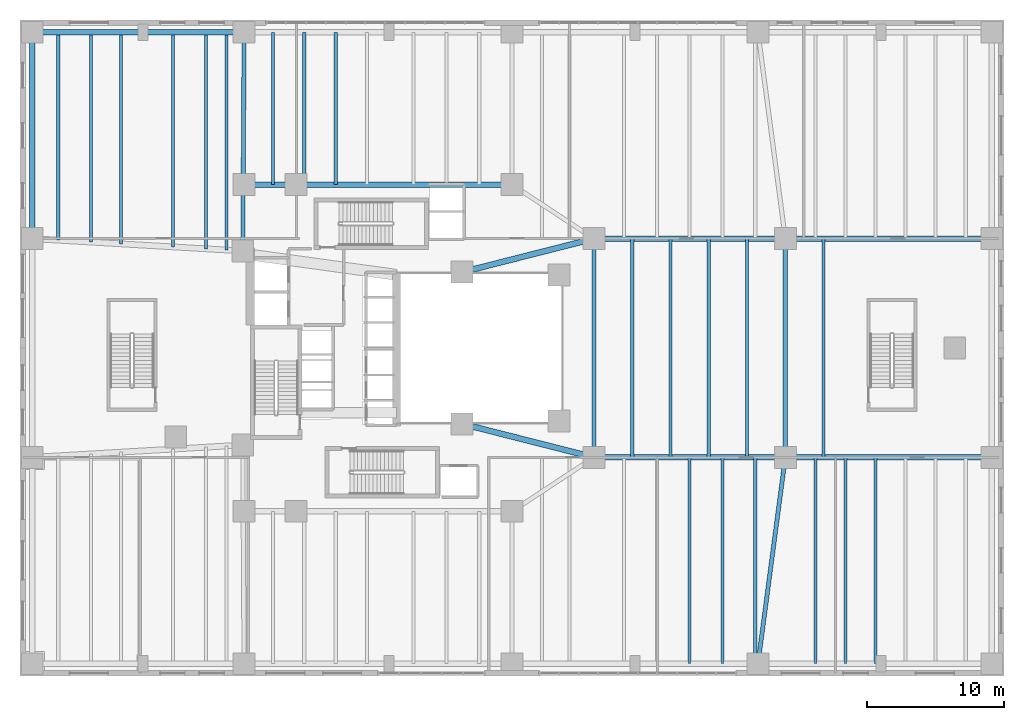
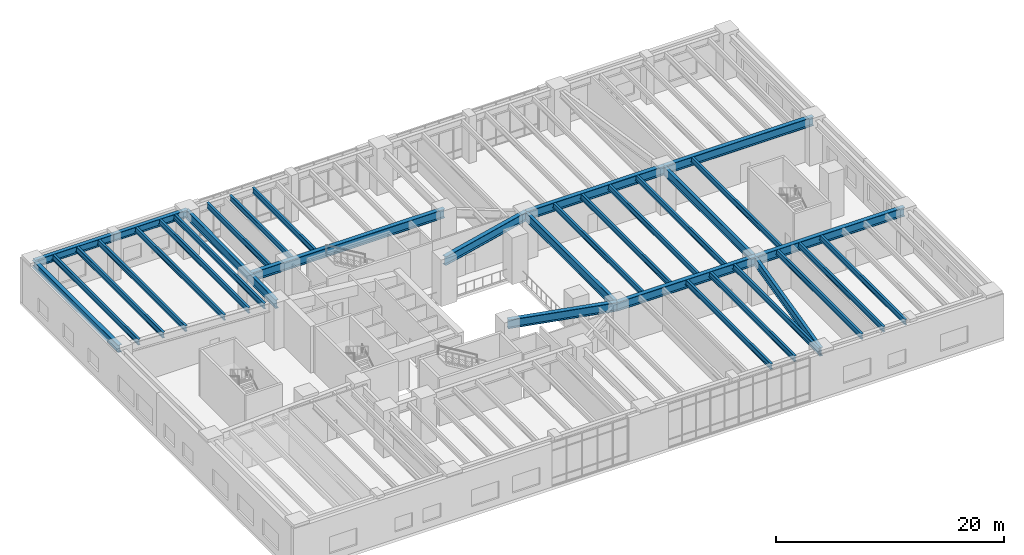
# One storey, part 9 of 26: 34 beams.
"""IFC4 building model written with IfcOpenShell, lengths in metres."""

from ifc_helpers import new_model, si_unit, direction, frame, origin, origin_2d, place, context, subcontext, project, spatial, i_section, extrude, material, material_profile, profile_set, type_object, element, save


model = new_model("IFC4")

# Units and contexts
model_context = context("Model", 3, precision=1e-05, world=origin(), true_north=direction((0.0, 1.0)))
body_context = subcontext(model_context, "Body", "Model", "MODEL_VIEW")
ifc_project = project(units=[si_unit("LENGTHUNIT", "METRE"), si_unit("AREAUNIT", "SQUARE_METRE"), si_unit("VOLUMEUNIT", "CUBIC_METRE"), si_unit("PLANEANGLEUNIT", "RADIAN"), si_unit("MASSUNIT", "GRAM", prefix="KILO"), si_unit("THERMODYNAMICTEMPERATUREUNIT", "KELVIN"), si_unit("POWERUNIT", "WATT")], contexts=[model_context])

# Site, building, storey
site_placement = place(None, origin())
site = spatial("IfcSite", under=ifc_project, at=site_placement, CompositionType="ELEMENT")
building_placement = place(site_placement, origin())
building = spatial("IfcBuilding", under=site, at=building_placement, Name="Skarre Station Tower", CompositionType="ELEMENT")
storey_placement = place(building_placement, frame((0.0, 0.0, 6.0)))
storey = spatial("IfcBuildingStorey", under=building, at=storey_placement, Name="L02", CompositionType="ELEMENT", Elevation=6.0)

# Beams
ifc_material = material(Name="Steel ASTM A992 Grade 50", Category="steel")
ifc_material_profile_1 = material_profile(ifc_material, i_section(OverallWidth=0.30810546875, OverallDepth=0.927001953125, WebThickness=0.01904296875, FlangeThickness=0.031982421875, at=origin_2d()), Name="Steel ASTM A992 Grade 50")
ifc_profile_set_1 = profile_set([ifc_material_profile_1], Name="Steel ASTM A992 Grade 50")
beam_type_1 = type_object("IfcBeamType", Name="Steel Beam W36X194", PredefinedType="BEAM", material=ifc_profile_set_1)
beam_1_placement = place(storey_placement, frame((16.300048828125, 31.10009765625, 4.22607421875), z_axis=(0.006240723195, 0.999980526497, 0.0), x_axis=(-0.999980526497, 0.006240723195, 0.0)))
element("IfcBeam", 1, at=beam_1_placement, inside=storey, type_object=beam_type_1, Name="L02 Concourse Transverse Girder NS2", PredefinedType="BEAM", context=body_context, shape_type="SweptSolid", body=[
    extrude(i_section(OverallWidth=0.30810546875, OverallDepth=0.927001953125, WebThickness=0.01904296875, FlangeThickness=0.031982421875, at=origin_2d()), origin(), (0.0, 0.0, 1.0), 16.000244140625),
])
beam_2_placement = place(storey_placement, frame((42.0, 16.0, 4.22607421875), z_axis=(0.0, 1.0, 0.0), x_axis=(-1.0, 0.0, 0.0)))
element("IfcBeam", 2, at=beam_2_placement, inside=storey, type_object=beam_type_1, Name="L02 Concourse Transverse Girder NS4", PredefinedType="BEAM", context=body_context, shape_type="SweptSolid", body=[
    extrude(i_section(OverallWidth=0.30810546875, OverallDepth=0.927001953125, WebThickness=0.01904296875, FlangeThickness=0.031982421875, at=origin_2d()), origin(), (0.0, 0.0, 1.0), 16.0),
])
beam_3_placement = place(storey_placement, frame((54.0, 0.89990234375, 4.22607421875), z_axis=(0.131302768537, 0.991342313721, 0.0), x_axis=(-0.991342313721, 0.131302768537, 0.0)))
element("IfcBeam", 3, at=beam_3_placement, inside=storey, type_object=beam_type_1, Name="L02 Concourse Transverse Girder NS6", PredefinedType="BEAM", context=body_context, shape_type="SweptSolid", body=[
    extrude(i_section(OverallWidth=0.30810546875, OverallDepth=0.927001953125, WebThickness=0.01904296875, FlangeThickness=0.031982421875, at=origin_2d()), origin(), (0.0, 0.0, 1.0), 15.23193359375),
])
beam_4_placement = place(storey_placement, frame((56.0, 16.0, 4.22607421875), z_axis=(0.0, 1.0, 0.0), x_axis=(-1.0, 0.0, 0.0)))
element("IfcBeam", 4, at=beam_4_placement, inside=storey, type_object=beam_type_1, Name="L02 Concourse Transverse Girder NS7", PredefinedType="BEAM", context=body_context, shape_type="SweptSolid", body=[
    extrude(i_section(OverallWidth=0.30810546875, OverallDepth=0.927001953125, WebThickness=0.01904296875, FlangeThickness=0.031982421875, at=origin_2d()), origin(), (0.0, 0.0, 1.0), 16.0),
])
ifc_material_profile_2 = material_profile(ifc_material, i_section(OverallWidth=0.423095703125, OverallDepth=0.947998046875, WebThickness=0.02392578125, FlangeThickness=0.04296875, at=origin_2d()), Name="Steel ASTM A992 Grade 50")
ifc_profile_set_2 = profile_set([ifc_material_profile_2], Name="Steel ASTM A992 Grade 50")
beam_type_2 = type_object("IfcBeamType", Name="Steel Beam W36X302", PredefinedType="BEAM", material=ifc_profile_set_2)
beam_5_placement = place(storey_placement, frame((32.35009765625, 18.449951171875, 4.216064453125), z_axis=(0.969250360418, -0.246076692982, 0.0), x_axis=(0.246076692982, 0.969250360418, 0.0)))
element("IfcBeam", 5, at=beam_5_placement, inside=storey, type_object=beam_type_2, Name="L02 Concourse Primary Girder EW2", PredefinedType="BEAM", context=body_context, shape_type="SweptSolid", body=[
    extrude(i_section(OverallWidth=0.423095703125, OverallDepth=0.947998046875, WebThickness=0.02392578125, FlangeThickness=0.04296875, at=origin_2d()), origin(), (0.0, 0.0, 1.0), 9.9560546875),
])
beam_6_placement = place(storey_placement, frame((42.0, 16.0, 4.216064453125), z_axis=(1.0, 0.0, 0.0), x_axis=(0.0, 1.0, 0.0)))
element("IfcBeam", 6, at=beam_6_placement, inside=storey, type_object=beam_type_2, Name="L02 Concourse Primary Girder EW3", PredefinedType="BEAM", context=body_context, shape_type="SweptSolid", body=[
    extrude(i_section(OverallWidth=0.423095703125, OverallDepth=0.947998046875, WebThickness=0.02392578125, FlangeThickness=0.04296875, at=origin_2d()), origin(), (0.0, 0.0, 1.0), 14.0),
])
beam_7_placement = place(storey_placement, frame((56.0, 16.0, 4.216064453125), z_axis=(1.0, 0.0, 0.0), x_axis=(0.0, 1.0, 0.0)))
element("IfcBeam", 7, at=beam_7_placement, inside=storey, type_object=beam_type_2, Name="L02 Concourse Primary Girder EW4", PredefinedType="BEAM", context=body_context, shape_type="SweptSolid", body=[
    extrude(i_section(OverallWidth=0.423095703125, OverallDepth=0.947998046875, WebThickness=0.02392578125, FlangeThickness=0.04296875, at=origin_2d()), origin(), (0.0, 0.0, 1.0), 15.10009765625),
])
beam_8_placement = place(storey_placement, frame((32.35009765625, 29.550048828125, 4.216064453125), z_axis=(0.969250360418, 0.246076692982, 0.0), x_axis=(-0.246076692982, 0.969250360418, 0.0)))
element("IfcBeam", 8, at=beam_8_placement, inside=storey, type_object=beam_type_2, Name="L02 Concourse Primary Girder EW6", PredefinedType="BEAM", context=body_context, shape_type="SweptSolid", body=[
    extrude(i_section(OverallWidth=0.423095703125, OverallDepth=0.947998046875, WebThickness=0.02392578125, FlangeThickness=0.04296875, at=origin_2d()), origin(), (0.0, 0.0, 1.0), 9.9560546875),
])
beam_9_placement = place(storey_placement, frame((42.0, 32.0, 4.216064453125), z_axis=(1.0, 0.0, 0.0), x_axis=(0.0, 1.0, 0.0)))
element("IfcBeam", 9, at=beam_9_placement, inside=storey, type_object=beam_type_2, Name="L02 Concourse Primary Girder EW7", PredefinedType="BEAM", context=body_context, shape_type="SweptSolid", body=[
    extrude(i_section(OverallWidth=0.423095703125, OverallDepth=0.947998046875, WebThickness=0.02392578125, FlangeThickness=0.04296875, at=origin_2d()), origin(), (0.0, 0.0, 1.0), 14.0),
])
beam_10_placement = place(storey_placement, frame((56.0, 32.0, 4.216064453125), z_axis=(1.0, 0.0, 0.0), x_axis=(0.0, 1.0, 0.0)))
element("IfcBeam", 10, at=beam_10_placement, inside=storey, type_object=beam_type_2, Name="L02 Concourse Primary Girder EW8", PredefinedType="BEAM", context=body_context, shape_type="SweptSolid", body=[
    extrude(i_section(OverallWidth=0.423095703125, OverallDepth=0.947998046875, WebThickness=0.02392578125, FlangeThickness=0.04296875, at=origin_2d()), origin(), (0.0, 0.0, 1.0), 15.10009765625),
])
beam_11_placement = place(storey_placement, frame((16.39990234375, 35.949951171875, 4.216064453125), z_axis=(1.0, 0.0, 0.0), x_axis=(0.0, 1.0, 0.0)))
element("IfcBeam", 11, at=beam_11_placement, inside=storey, type_object=beam_type_2, Name="L02 Concourse Primary Girder HDRN", PredefinedType="BEAM", context=body_context, shape_type="SweptSolid", body=[
    extrude(i_section(OverallWidth=0.423095703125, OverallDepth=0.947998046875, WebThickness=0.02392578125, FlangeThickness=0.04296875, at=origin_2d()), origin(), (0.0, 0.0, 1.0), 19.60009765625),
])
ifc_material_profile_3 = material_profile(ifc_material, i_section(OverallWidth=0.22802734375, OverallDepth=0.60791015625, WebThickness=0.010986328125, FlangeThickness=0.01708984375, at=origin_2d()), Name="Steel ASTM A992 Grade 50")
ifc_profile_set_3 = profile_set([ifc_material_profile_3], Name="Steel ASTM A992 Grade 50")
beam_type_3 = type_object("IfcBeamType", Name="Steel Joist W24X76", PredefinedType="JOIST", material=ifc_profile_set_3)
beam_12_placement = place(storey_placement, frame((2.800048828125, 31.888916015625, 4.385986328125), z_axis=(0.0, 1.0, 0.0), x_axis=(-1.0, 0.0, 0.0)))
element("IfcBeam", 12, at=beam_12_placement, inside=storey, type_object=beam_type_3, Name="L02 North Bay Joist 1", PredefinedType="JOIST", context=body_context, shape_type="SweptSolid", body=[
    extrude(i_section(OverallWidth=0.22802734375, OverallDepth=0.60791015625, WebThickness=0.010986328125, FlangeThickness=0.01708984375, at=origin_2d()), origin(), (0.0, 0.0, 1.0), 15.211181640625),
])
beam_13_placement = place(storey_placement, frame((5.199951171875, 31.7490234375, 4.385986328125), z_axis=(0.0, 1.0, 0.0), x_axis=(-1.0, 0.0, 0.0)))
element("IfcBeam", 13, at=beam_13_placement, inside=storey, type_object=beam_type_3, Name="L02 North Bay Joist 2", PredefinedType="JOIST", context=body_context, shape_type="SweptSolid", body=[
    extrude(i_section(OverallWidth=0.22802734375, OverallDepth=0.60791015625, WebThickness=0.010986328125, FlangeThickness=0.01708984375, at=origin_2d()), origin(), (0.0, 0.0, 1.0), 15.35107421875),
])
beam_14_placement = place(storey_placement, frame((7.39990234375, 31.6201171875, 4.385986328125), z_axis=(0.0, 1.0, 0.0), x_axis=(-1.0, 0.0, 0.0)))
element("IfcBeam", 14, at=beam_14_placement, inside=storey, type_object=beam_type_3, Name="L02 North Bay Joist 3", PredefinedType="JOIST", context=body_context, shape_type="SweptSolid", body=[
    extrude(i_section(OverallWidth=0.22802734375, OverallDepth=0.60791015625, WebThickness=0.010986328125, FlangeThickness=0.01708984375, at=origin_2d()), origin(), (0.0, 0.0, 1.0), 15.47998046875),
])
beam_15_placement = place(storey_placement, frame((11.199951171875, 31.39794921875, 4.385986328125), z_axis=(0.0, 1.0, 0.0), x_axis=(-1.0, 0.0, 0.0)))
element("IfcBeam", 15, at=beam_15_placement, inside=storey, type_object=beam_type_3, Name="L02 North Bay Joist 4", PredefinedType="JOIST", context=body_context, shape_type="SweptSolid", body=[
    extrude(i_section(OverallWidth=0.22802734375, OverallDepth=0.60791015625, WebThickness=0.010986328125, FlangeThickness=0.01708984375, at=origin_2d()), origin(), (0.0, 0.0, 1.0), 15.7021484375),
])
beam_16_placement = place(storey_placement, frame((13.60009765625, 31.258056640625, 4.385986328125), z_axis=(0.0, 1.0, 0.0), x_axis=(-1.0, 0.0, 0.0)))
element("IfcBeam", 16, at=beam_16_placement, inside=storey, type_object=beam_type_3, Name="L02 North Bay Joist 5", PredefinedType="JOIST", context=body_context, shape_type="SweptSolid", body=[
    extrude(i_section(OverallWidth=0.22802734375, OverallDepth=0.60791015625, WebThickness=0.010986328125, FlangeThickness=0.01708984375, at=origin_2d()), origin(), (0.0, 0.0, 1.0), 15.842041015625),
])
beam_17_placement = place(storey_placement, frame((15.10009765625, 31.169921875, 4.385986328125), z_axis=(0.0, 1.0, 0.0), x_axis=(-1.0, 0.0, 0.0)))
element("IfcBeam", 17, at=beam_17_placement, inside=storey, type_object=beam_type_3, Name="L02 North Bay Joist 6", PredefinedType="JOIST", context=body_context, shape_type="SweptSolid", body=[
    extrude(i_section(OverallWidth=0.22802734375, OverallDepth=0.60791015625, WebThickness=0.010986328125, FlangeThickness=0.01708984375, at=origin_2d()), origin(), (0.0, 0.0, 1.0), 15.93017578125),
])
for number, where, z_axis, x_axis, name in (
    (18, (18.5, 35.949951171875, 4.385986328125), (0.0, 1.0, 0.0), (-1.0, 0.0, 0.0), "L02 North Bay Joist 7"),
    (19, (20.800048828125, 35.949951171875, 4.385986328125), (0.0, 1.0, 0.0), (-1.0, 0.0, 0.0), "L02 North Bay Joist 8"),
    (20, (23.10009765625, 35.949951171875, 4.385986328125), (0.0, 1.0, 0.0), (-1.0, 0.0, 0.0), "L02 North Bay Joist 9"),
):
    element("IfcBeam", number, at=place(storey_placement, frame(where, z_axis=z_axis, x_axis=x_axis)), inside=storey, type_object=beam_type_3, Name=name, PredefinedType="JOIST", context=body_context, shape_type="SweptSolid", body=[
        extrude(i_section(OverallWidth=0.22802734375, OverallDepth=0.60791015625, WebThickness=0.010986328125, FlangeThickness=0.01708984375, at=origin_2d()), origin(), (0.0, 0.0, 1.0), 11.150146484375),
    ])
for number, where, z_axis, x_axis, name in (
    (21, (49.0, 0.89990234375, 4.385986328125), (0.0, 1.0, 0.0), (-1.0, 0.0, 0.0), "L02 South Bay Joist 18"),
    (22, (51.39990234375, 0.89990234375, 4.385986328125), (0.0, 1.0, 0.0), (-1.0, 0.0, 0.0), "L02 South Bay Joist 19"),
    (23, (53.800048828125, 0.89990234375, 4.385986328125), (0.0, 1.0, 0.0), (-1.0, 0.0, 0.0), "L02 South Bay Joist 20"),
    (24, (58.199951171875, 0.89990234375, 4.385986328125), (0.0, 1.0, 0.0), (-1.0, 0.0, 0.0), "L02 South Bay Joist 21"),
    (25, (60.39990234375, 0.89990234375, 4.385986328125), (0.0, 1.0, 0.0), (-1.0, 0.0, 0.0), "L02 South Bay Joist 22"),
    (26, (62.60009765625, 0.89990234375, 4.385986328125), (0.0, 1.0, 0.0), (-1.0, 0.0, 0.0), "L02 South Bay Joist 23"),
):
    element("IfcBeam", number, at=place(storey_placement, frame(where, z_axis=z_axis, x_axis=x_axis)), inside=storey, type_object=beam_type_3, Name=name, PredefinedType="JOIST", context=body_context, shape_type="SweptSolid", body=[
        extrude(i_section(OverallWidth=0.22802734375, OverallDepth=0.60791015625, WebThickness=0.010986328125, FlangeThickness=0.01708984375, at=origin_2d()), origin(), (0.0, 0.0, 1.0), 15.10009765625),
    ])
for number, where, z_axis, x_axis, name in (
    (27, (44.800048828125, 16.0, 4.385986328125), (0.0, 1.0, 0.0), (-1.0, 0.0, 0.0), "L02 Central Concourse Joist 1"),
    (28, (47.60009765625, 16.0, 4.385986328125), (0.0, 1.0, 0.0), (-1.0, 0.0, 0.0), "L02 Central Concourse Joist 2"),
    (29, (50.39990234375, 16.0, 4.385986328125), (0.0, 1.0, 0.0), (-1.0, 0.0, 0.0), "L02 Central Concourse Joist 3"),
    (30, (53.199951171875, 16.0, 4.385986328125), (0.0, 1.0, 0.0), (-1.0, 0.0, 0.0), "L02 Central Concourse Joist 4"),
    (31, (58.800048828125, 16.0, 4.385986328125), (0.0, 1.0, 0.0), (-1.0, 0.0, 0.0), "L02 Central Concourse Joist 5"),
):
    element("IfcBeam", number, at=place(storey_placement, frame(where, z_axis=z_axis, x_axis=x_axis)), inside=storey, type_object=beam_type_3, Name=name, PredefinedType="JOIST", context=body_context, shape_type="SweptSolid", body=[
        extrude(i_section(OverallWidth=0.22802734375, OverallDepth=0.60791015625, WebThickness=0.010986328125, FlangeThickness=0.01708984375, at=origin_2d()), origin(), (0.0, 0.0, 1.0), 16.0),
    ])
ifc_material_profile_4 = material_profile(ifc_material, i_section(OverallWidth=0.384033203125, OverallDepth=0.785888671875, WebThickness=0.02001953125, FlangeThickness=0.032958984375, at=origin_2d()), Name="Steel ASTM A992 Grade 50")
ifc_profile_set_4 = profile_set([ifc_material_profile_4], Name="Steel ASTM A992 Grade 50")
beam_type_4 = type_object("IfcBeamType", Name="Steel Spandrel W30X211", PredefinedType="SPANDREL", material=ifc_profile_set_4)
beam_18_placement = place(storey_placement, frame((0.89990234375, 47.10009765625, 4.297119140625), z_axis=(1.0, 0.0, 0.0), x_axis=(0.0, 1.0, 0.0)))
element("IfcBeam", 32, at=beam_18_placement, inside=storey, type_object=beam_type_4, Name="L02 North Podium Spandrel 1", PredefinedType="SPANDREL", context=body_context, shape_type="SweptSolid", body=[
    extrude(i_section(OverallWidth=0.384033203125, OverallDepth=0.785888671875, WebThickness=0.02001953125, FlangeThickness=0.032958984375, at=origin_2d()), origin(), (0.0, 0.0, 1.0), 8.10009765625),
])
beam_19_placement = place(storey_placement, frame((9.0, 47.10009765625, 4.297119140625), z_axis=(1.0, 0.0, 0.0), x_axis=(0.0, 1.0, 0.0)))
element("IfcBeam", 33, at=beam_19_placement, inside=storey, type_object=beam_type_4, Name="L02 North Podium Spandrel 2", PredefinedType="SPANDREL", context=body_context, shape_type="SweptSolid", body=[
    extrude(i_section(OverallWidth=0.384033203125, OverallDepth=0.785888671875, WebThickness=0.02001953125, FlangeThickness=0.032958984375, at=origin_2d()), origin(), (0.0, 0.0, 1.0), 7.39990234375),
])
beam_20_placement = place(storey_placement, frame((0.89990234375, 32.0, 4.297119140625), z_axis=(0.0, 1.0, 0.0), x_axis=(-1.0, 0.0, 0.0)))
element("IfcBeam", 34, at=beam_20_placement, inside=storey, type_object=beam_type_4, Name="L02 West Podium Spandrel 3", PredefinedType="SPANDREL", context=body_context, shape_type="SweptSolid", body=[
    extrude(i_section(OverallWidth=0.384033203125, OverallDepth=0.785888671875, WebThickness=0.02001953125, FlangeThickness=0.032958984375, at=origin_2d()), origin(), (0.0, 0.0, 1.0), 15.10009765625),
])

save(model, "model.ifc")
